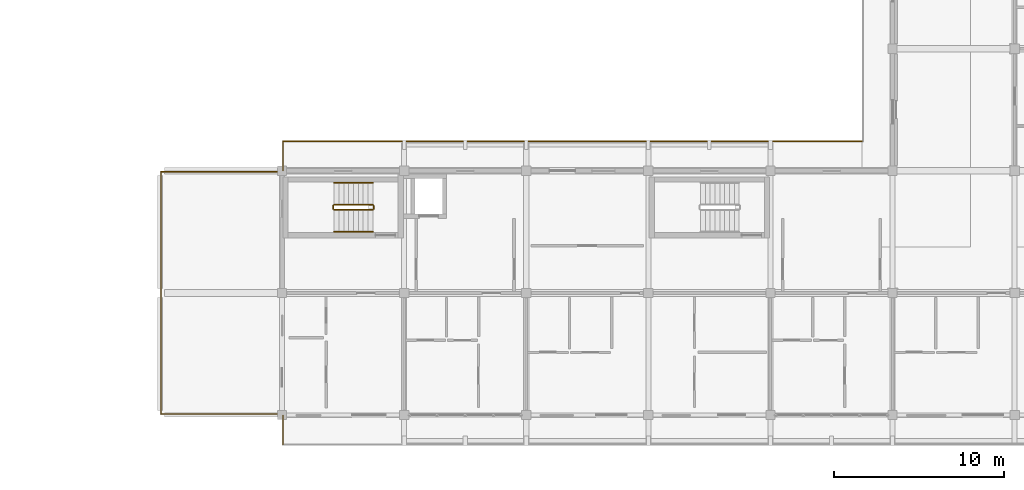
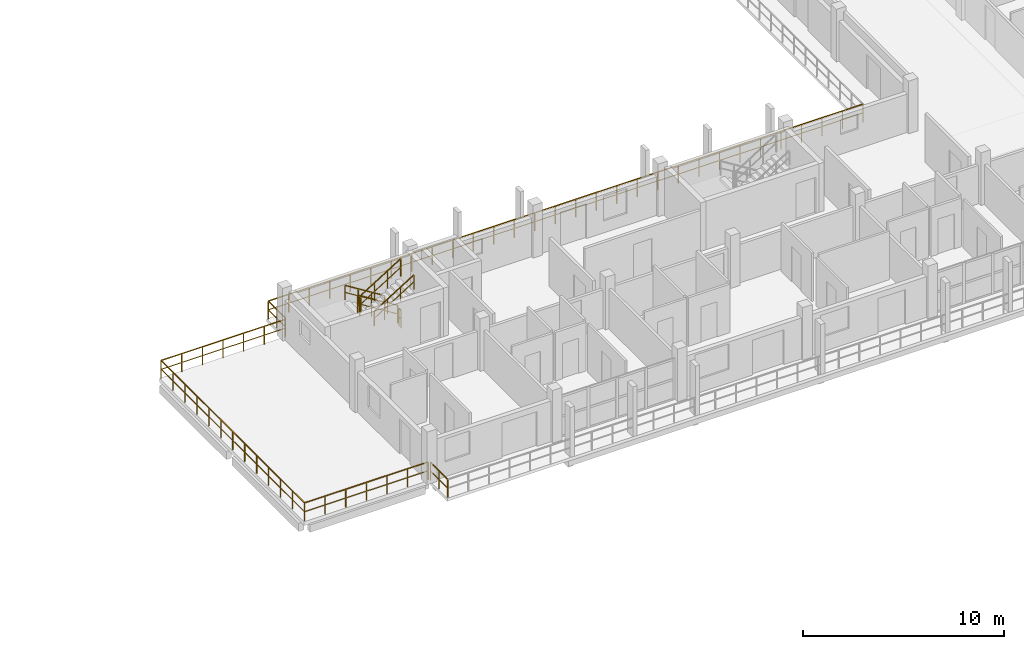
# One storey, part 59 of 65: 12 railings.
"""IFC4 building model written with IfcOpenShell, lengths in metres."""

from ifc_helpers import new_model, si_unit, direction, frame, origin, origin_2d, place, context, subcontext, project, spatial, rectangle, extrude, material, type_object, element, save


model = new_model("IFC4")

# Units and contexts
model_context = context("Model", 3, precision=1e-05, world=origin(), true_north=direction((0.0, 1.0)))
body_context = subcontext(model_context, "Body", "Model", "MODEL_VIEW")
ifc_project = project(units=[si_unit("LENGTHUNIT", "METRE"), si_unit("AREAUNIT", "SQUARE_METRE"), si_unit("VOLUMEUNIT", "CUBIC_METRE"), si_unit("PLANEANGLEUNIT", "RADIAN"), si_unit("MASSUNIT", "GRAM", prefix="KILO")], contexts=[model_context])

# Site, building, storey
site_placement = place(None, origin())
site = spatial("IfcSite", under=ifc_project, at=site_placement, CompositionType="ELEMENT")
building_placement = place(site_placement, origin())
building = spatial("IfcBuilding", under=site, at=building_placement, Name="Suanplinth Sawtooth Commons", CompositionType="ELEMENT")
storey_placement = place(building_placement, frame((0.0, 0.0, 28.300048828125)))
storey = spatial("IfcBuildingStorey", under=building, at=storey_placement, Name="L08", CompositionType="ELEMENT", Elevation=28.300048828125)

# Railings
ifc_material_1 = material(Name="Powder-coated galvanized steel", Category="steel")
railing_type_1 = type_object("IfcRailingType", Name="GR-01", PredefinedType="BALUSTRADE", material=ifc_material_1)
railing_1_placement = place(storey_placement, frame((136.860107421875, -1.739990234375, 0.0)))
element("IfcRailing", 1, at=railing_1_placement, inside=storey, type_object=railing_type_1, Name="L08 Block C Perimeter Balustrade 1", PredefinedType="BALUSTRADE", context=body_context, shape_type="SweptSolid", body=[
    extrude(rectangle(XDim=0.048095703125, YDim=0.048095703125, at=origin_2d()), frame((0.0, 0.0, 1.09619140625), z_axis=(0.0, 1.0, 0.0), x_axis=(-1.0, 0.0, 0.0)), (0.0, 0.0, 1.0), 1.719970703125),
    extrude(rectangle(XDim=0.03369140625, YDim=0.03369140625, at=origin_2d()), frame((0.0, 0.0, 0.56005859375), z_axis=(0.0, 1.0, 0.0), x_axis=(-1.0, 0.0, 0.0)), (0.0, 0.0, 1.0), 1.719970703125),
    extrude(rectangle(XDim=0.0419921875, YDim=0.0419921875, at=origin_2d()), origin(), (0.0, 0.0, 1.0), 1.072021484375),
    extrude(rectangle(XDim=0.0419921875, YDim=0.0419921875, at=origin_2d()), frame((0.0, 0.85986328125, 0.0)), (0.0, 0.0, 1.0), 1.072021484375),
    extrude(rectangle(XDim=0.0419921875, YDim=0.0419921875, at=origin_2d()), frame((0.0, 1.719970703125, 0.0)), (0.0, 0.0, 1.0), 1.072021484375),
])
railing_2_placement = place(storey_placement, frame((136.780029296875, 0.06005859375, 0.0)))
element("IfcRailing", 2, at=railing_2_placement, inside=storey, type_object=railing_type_1, Name="L08 Block C Perimeter Balustrade 2", PredefinedType="BALUSTRADE", context=body_context, shape_type="SweptSolid", body=[
    extrude(rectangle(XDim=0.048095703125, YDim=0.048095703125, at=origin_2d()), frame((0.0, 0.0, 1.09619140625), z_axis=(-1.0, 0.0, 0.0), x_axis=(0.0, -1.0, 0.0)), (0.0, 0.0, 1.0), 7.1201171875),
    extrude(rectangle(XDim=0.03369140625, YDim=0.03369140625, at=origin_2d()), frame((0.0, 0.0, 0.56005859375), z_axis=(-1.0, 0.0, 0.0), x_axis=(0.0, -1.0, 0.0)), (0.0, 0.0, 1.0), 7.1201171875),
    extrude(rectangle(XDim=0.0419921875, YDim=0.0419921875, at=origin_2d()), origin(), (0.0, 0.0, 1.0), 1.072021484375),
    extrude(rectangle(XDim=0.0419921875, YDim=0.0419921875, at=origin_2d()), frame((-1.186767578125, 0.0, 0.0)), (0.0, 0.0, 1.0), 1.072021484375),
    extrude(rectangle(XDim=0.0419921875, YDim=0.0419921875, at=origin_2d()), frame((-2.373291015625, 0.0, 0.0)), (0.0, 0.0, 1.0), 1.072021484375),
    extrude(rectangle(XDim=0.0419921875, YDim=0.0419921875, at=origin_2d()), frame((-3.56005859375, 0.0, 0.0)), (0.0, 0.0, 1.0), 1.072021484375),
    extrude(rectangle(XDim=0.0419921875, YDim=0.0419921875, at=origin_2d()), frame((-4.746826171875, 0.0, 0.0)), (0.0, 0.0, 1.0), 1.072021484375),
    extrude(rectangle(XDim=0.0419921875, YDim=0.0419921875, at=origin_2d()), frame((-5.933349609375, 0.0, 0.0)), (0.0, 0.0, 1.0), 1.072021484375),
    extrude(rectangle(XDim=0.0419921875, YDim=0.0419921875, at=origin_2d()), frame((-7.1201171875, 0.0, 0.0)), (0.0, 0.0, 1.0), 1.072021484375),
])
railing_3_placement = place(storey_placement, frame((129.659912109375, 0.06005859375, 0.0)))
element("IfcRailing", 3, at=railing_3_placement, inside=storey, type_object=railing_type_1, Name="L08 Block C Perimeter Balustrade 3", PredefinedType="BALUSTRADE", context=body_context, shape_type="SweptSolid", body=[
    extrude(rectangle(XDim=0.048095703125, YDim=0.048095703125, at=origin_2d()), frame((0.0, 0.0, 1.09619140625), z_axis=(0.0, 1.0, 0.0), x_axis=(-1.0, 0.0, 0.0)), (0.0, 0.0, 1.0), 14.280029296875),
    extrude(rectangle(XDim=0.03369140625, YDim=0.03369140625, at=origin_2d()), frame((0.0, 0.0, 0.56005859375), z_axis=(0.0, 1.0, 0.0), x_axis=(-1.0, 0.0, 0.0)), (0.0, 0.0, 1.0), 14.280029296875),
    extrude(rectangle(XDim=0.0419921875, YDim=0.0419921875, at=origin_2d()), origin(), (0.0, 0.0, 1.0), 1.072021484375),
    extrude(rectangle(XDim=0.0419921875, YDim=0.0419921875, at=origin_2d()), frame((0.0, 1.18994140625, 0.0)), (0.0, 0.0, 1.0), 1.072021484375),
    extrude(rectangle(XDim=0.0419921875, YDim=0.0419921875, at=origin_2d()), frame((0.0, 2.3798828125, 0.0)), (0.0, 0.0, 1.0), 1.072021484375),
    extrude(rectangle(XDim=0.0419921875, YDim=0.0419921875, at=origin_2d()), frame((0.0, 3.570068359375, 0.0)), (0.0, 0.0, 1.0), 1.072021484375),
    extrude(rectangle(XDim=0.0419921875, YDim=0.0419921875, at=origin_2d()), frame((0.0, 4.760009765625, 0.0)), (0.0, 0.0, 1.0), 1.072021484375),
    extrude(rectangle(XDim=0.0419921875, YDim=0.0419921875, at=origin_2d()), frame((0.0, 5.949951171875, 0.0)), (0.0, 0.0, 1.0), 1.072021484375),
    extrude(rectangle(XDim=0.0419921875, YDim=0.0419921875, at=origin_2d()), frame((0.0, 7.14013671875, 0.0)), (0.0, 0.0, 1.0), 1.072021484375),
    extrude(rectangle(XDim=0.0419921875, YDim=0.0419921875, at=origin_2d()), frame((0.0, 8.330078125, 0.0)), (0.0, 0.0, 1.0), 1.072021484375),
    extrude(rectangle(XDim=0.0419921875, YDim=0.0419921875, at=origin_2d()), frame((0.0, 9.52001953125, 0.0)), (0.0, 0.0, 1.0), 1.072021484375),
    extrude(rectangle(XDim=0.0419921875, YDim=0.0419921875, at=origin_2d()), frame((0.0, 10.7099609375, 0.0)), (0.0, 0.0, 1.0), 1.072021484375),
    extrude(rectangle(XDim=0.0419921875, YDim=0.0419921875, at=origin_2d()), frame((0.0, 11.89990234375, 0.0)), (0.0, 0.0, 1.0), 1.072021484375),
    extrude(rectangle(XDim=0.0419921875, YDim=0.0419921875, at=origin_2d()), frame((0.0, 13.090087890625, 0.0)), (0.0, 0.0, 1.0), 1.072021484375),
    extrude(rectangle(XDim=0.0419921875, YDim=0.0419921875, at=origin_2d()), frame((0.0, 14.280029296875, 0.0)), (0.0, 0.0, 1.0), 1.072021484375),
])
railing_4_placement = place(storey_placement, frame((129.659912109375, 14.340087890625, 0.0)))
element("IfcRailing", 4, at=railing_4_placement, inside=storey, type_object=railing_type_1, Name="L08 Block C Perimeter Balustrade 4", PredefinedType="BALUSTRADE", context=body_context, shape_type="SweptSolid", body=[
    extrude(rectangle(XDim=0.048095703125, YDim=0.048095703125, at=origin_2d()), frame((0.0, 0.0, 1.09619140625), z_axis=(1.0, 0.0, 0.0), x_axis=(0.0, 1.0, 0.0)), (0.0, 0.0, 1.0), 7.1201171875),
    extrude(rectangle(XDim=0.03369140625, YDim=0.03369140625, at=origin_2d()), frame((0.0, 0.0, 0.56005859375), z_axis=(1.0, 0.0, 0.0), x_axis=(0.0, 1.0, 0.0)), (0.0, 0.0, 1.0), 7.1201171875),
    extrude(rectangle(XDim=0.0419921875, YDim=0.0419921875, at=origin_2d()), origin(), (0.0, 0.0, 1.0), 1.072021484375),
    extrude(rectangle(XDim=0.0419921875, YDim=0.0419921875, at=origin_2d()), frame((1.186767578125, 0.0, 0.0)), (0.0, 0.0, 1.0), 1.072021484375),
    extrude(rectangle(XDim=0.0419921875, YDim=0.0419921875, at=origin_2d()), frame((2.373291015625, 0.0, 0.0)), (0.0, 0.0, 1.0), 1.072021484375),
    extrude(rectangle(XDim=0.0419921875, YDim=0.0419921875, at=origin_2d()), frame((3.56005859375, 0.0, 0.0)), (0.0, 0.0, 1.0), 1.072021484375),
    extrude(rectangle(XDim=0.0419921875, YDim=0.0419921875, at=origin_2d()), frame((4.746826171875, 0.0, 0.0)), (0.0, 0.0, 1.0), 1.072021484375),
    extrude(rectangle(XDim=0.0419921875, YDim=0.0419921875, at=origin_2d()), frame((5.933349609375, 0.0, 0.0)), (0.0, 0.0, 1.0), 1.072021484375),
    extrude(rectangle(XDim=0.0419921875, YDim=0.0419921875, at=origin_2d()), frame((7.1201171875, 0.0, 0.0)), (0.0, 0.0, 1.0), 1.072021484375),
])
railing_5_placement = place(storey_placement, frame((136.860107421875, 14.419921875, 0.0)))
element("IfcRailing", 5, at=railing_5_placement, inside=storey, type_object=railing_type_1, Name="L08 Block C Perimeter Balustrade 5", PredefinedType="BALUSTRADE", context=body_context, shape_type="SweptSolid", body=[
    extrude(rectangle(XDim=0.048095703125, YDim=0.048095703125, at=origin_2d()), frame((0.0, 0.0, 1.09619140625), z_axis=(0.0, 1.0, 0.0), x_axis=(-1.0, 0.0, 0.0)), (0.0, 0.0, 1.0), 1.719970703125),
    extrude(rectangle(XDim=0.03369140625, YDim=0.03369140625, at=origin_2d()), frame((0.0, 0.0, 0.56005859375), z_axis=(0.0, 1.0, 0.0), x_axis=(-1.0, 0.0, 0.0)), (0.0, 0.0, 1.0), 1.719970703125),
    extrude(rectangle(XDim=0.0419921875, YDim=0.0419921875, at=origin_2d()), origin(), (0.0, 0.0, 1.0), 1.072021484375),
    extrude(rectangle(XDim=0.0419921875, YDim=0.0419921875, at=origin_2d()), frame((0.0, 0.85986328125, 0.0)), (0.0, 0.0, 1.0), 1.072021484375),
    extrude(rectangle(XDim=0.0419921875, YDim=0.0419921875, at=origin_2d()), frame((0.0, 1.719970703125, 0.0)), (0.0, 0.0, 1.0), 1.072021484375),
])
railing_6_placement = place(storey_placement, frame((136.860107421875, 16.139892578125, 0.0)))
element("IfcRailing", 6, at=railing_6_placement, inside=storey, type_object=railing_type_1, Name="L08 Block C Perimeter Balustrade 6", PredefinedType="BALUSTRADE", context=body_context, shape_type="SweptSolid", body=[
    extrude(rectangle(XDim=0.048095703125, YDim=0.048095703125, at=origin_2d()), frame((0.0, 0.0, 1.09619140625), z_axis=(1.0, 0.0, 0.0), x_axis=(0.0, 1.0, 0.0)), (0.0, 0.0, 1.0), 34.199951171875),
    extrude(rectangle(XDim=0.03369140625, YDim=0.03369140625, at=origin_2d()), frame((0.0, 0.0, 0.56005859375), z_axis=(1.0, 0.0, 0.0), x_axis=(0.0, 1.0, 0.0)), (0.0, 0.0, 1.0), 34.199951171875),
    extrude(rectangle(XDim=0.0419921875, YDim=0.0419921875, at=origin_2d()), origin(), (0.0, 0.0, 1.0), 1.072021484375),
    extrude(rectangle(XDim=0.0419921875, YDim=0.0419921875, at=origin_2d()), frame((1.17919921875, 0.0, 0.0)), (0.0, 0.0, 1.0), 1.072021484375),
    extrude(rectangle(XDim=0.0419921875, YDim=0.0419921875, at=origin_2d()), frame((2.358642578125, 0.0, 0.0)), (0.0, 0.0, 1.0), 1.072021484375),
    extrude(rectangle(XDim=0.0419921875, YDim=0.0419921875, at=origin_2d()), frame((3.537841796875, 0.0, 0.0)), (0.0, 0.0, 1.0), 1.072021484375),
    extrude(rectangle(XDim=0.0419921875, YDim=0.0419921875, at=origin_2d()), frame((4.71728515625, 0.0, 0.0)), (0.0, 0.0, 1.0), 1.072021484375),
    extrude(rectangle(XDim=0.0419921875, YDim=0.0419921875, at=origin_2d()), frame((5.896484375, 0.0, 0.0)), (0.0, 0.0, 1.0), 1.072021484375),
    extrude(rectangle(XDim=0.0419921875, YDim=0.0419921875, at=origin_2d()), frame((7.075927734375, 0.0, 0.0)), (0.0, 0.0, 1.0), 1.072021484375),
    extrude(rectangle(XDim=0.0419921875, YDim=0.0419921875, at=origin_2d()), frame((8.255126953125, 0.0, 0.0)), (0.0, 0.0, 1.0), 1.072021484375),
    extrude(rectangle(XDim=0.0419921875, YDim=0.0419921875, at=origin_2d()), frame((9.4345703125, 0.0, 0.0)), (0.0, 0.0, 1.0), 1.072021484375),
    extrude(rectangle(XDim=0.0419921875, YDim=0.0419921875, at=origin_2d()), frame((10.61376953125, 0.0, 0.0)), (0.0, 0.0, 1.0), 1.072021484375),
    extrude(rectangle(XDim=0.0419921875, YDim=0.0419921875, at=origin_2d()), frame((11.79296875, 0.0, 0.0)), (0.0, 0.0, 1.0), 1.072021484375),
    extrude(rectangle(XDim=0.0419921875, YDim=0.0419921875, at=origin_2d()), frame((12.972412109375, 0.0, 0.0)), (0.0, 0.0, 1.0), 1.072021484375),
    extrude(rectangle(XDim=0.0419921875, YDim=0.0419921875, at=origin_2d()), frame((14.151611328125, 0.0, 0.0)), (0.0, 0.0, 1.0), 1.072021484375),
    extrude(rectangle(XDim=0.0419921875, YDim=0.0419921875, at=origin_2d()), frame((15.3310546875, 0.0, 0.0)), (0.0, 0.0, 1.0), 1.072021484375),
    extrude(rectangle(XDim=0.0419921875, YDim=0.0419921875, at=origin_2d()), frame((16.51025390625, 0.0, 0.0)), (0.0, 0.0, 1.0), 1.072021484375),
    extrude(rectangle(XDim=0.0419921875, YDim=0.0419921875, at=origin_2d()), frame((17.689697265625, 0.0, 0.0)), (0.0, 0.0, 1.0), 1.072021484375),
    extrude(rectangle(XDim=0.0419921875, YDim=0.0419921875, at=origin_2d()), frame((18.868896484375, 0.0, 0.0)), (0.0, 0.0, 1.0), 1.072021484375),
    extrude(rectangle(XDim=0.0419921875, YDim=0.0419921875, at=origin_2d()), frame((20.04833984375, 0.0, 0.0)), (0.0, 0.0, 1.0), 1.072021484375),
    extrude(rectangle(XDim=0.0419921875, YDim=0.0419921875, at=origin_2d()), frame((21.2275390625, 0.0, 0.0)), (0.0, 0.0, 1.0), 1.072021484375),
    extrude(rectangle(XDim=0.0419921875, YDim=0.0419921875, at=origin_2d()), frame((22.406982421875, 0.0, 0.0)), (0.0, 0.0, 1.0), 1.072021484375),
    extrude(rectangle(XDim=0.0419921875, YDim=0.0419921875, at=origin_2d()), frame((23.586181640625, 0.0, 0.0)), (0.0, 0.0, 1.0), 1.072021484375),
    extrude(rectangle(XDim=0.0419921875, YDim=0.0419921875, at=origin_2d()), frame((24.765380859375, 0.0, 0.0)), (0.0, 0.0, 1.0), 1.072021484375),
    extrude(rectangle(XDim=0.0419921875, YDim=0.0419921875, at=origin_2d()), frame((25.94482421875, 0.0, 0.0)), (0.0, 0.0, 1.0), 1.072021484375),
    extrude(rectangle(XDim=0.0419921875, YDim=0.0419921875, at=origin_2d()), frame((27.1240234375, 0.0, 0.0)), (0.0, 0.0, 1.0), 1.072021484375),
    extrude(rectangle(XDim=0.0419921875, YDim=0.0419921875, at=origin_2d()), frame((28.303466796875, 0.0, 0.0)), (0.0, 0.0, 1.0), 1.072021484375),
    extrude(rectangle(XDim=0.0419921875, YDim=0.0419921875, at=origin_2d()), frame((29.482666015625, 0.0, 0.0)), (0.0, 0.0, 1.0), 1.072021484375),
    extrude(rectangle(XDim=0.0419921875, YDim=0.0419921875, at=origin_2d()), frame((30.662109375, 0.0, 0.0)), (0.0, 0.0, 1.0), 1.072021484375),
    extrude(rectangle(XDim=0.0419921875, YDim=0.0419921875, at=origin_2d()), frame((31.84130859375, 0.0, 0.0)), (0.0, 0.0, 1.0), 1.072021484375),
    extrude(rectangle(XDim=0.0419921875, YDim=0.0419921875, at=origin_2d()), frame((33.020751953125, 0.0, 0.0)), (0.0, 0.0, 1.0), 1.072021484375),
    extrude(rectangle(XDim=0.0419921875, YDim=0.0419921875, at=origin_2d()), frame((34.199951171875, 0.0, 0.0)), (0.0, 0.0, 1.0), 1.072021484375),
])
ifc_material_2 = material(Name="Stainless steel Grade 304", Category="steel")
railing_type_2 = type_object("IfcRailingType", Name="GR-04", PredefinedType="GUARDRAIL", material=ifc_material_2)
railing_7_placement = place(storey_placement, frame((142.14990234375, 12.39990234375, 0.177734375)))
element("IfcRailing", 7, at=railing_7_placement, inside=storey, type_object=railing_type_2, Name="L08 ST-S1 Guard 1", PredefinedType="GUARDRAIL", context=body_context, shape_type="SweptSolid", body=[
    extrude(rectangle(XDim=0.048095703125, YDim=0.048095703125, at=origin_2d()), frame((0.0, 0.0, 1.076171875), z_axis=(-0.848457393559, 0.0, 0.529263687886), x_axis=(0.0, -1.0, 0.0)), (0.0, 0.0, 1.0), 2.68701171875),
    extrude(rectangle(XDim=0.03369140625, YDim=0.03369140625, at=origin_2d()), frame((0.0, 0.0, 0.550048828125), z_axis=(-0.848457393559, 0.0, 0.529263687886), x_axis=(0.0, -1.0, 0.0)), (0.0, 0.0, 1.0), 2.68701171875),
    extrude(rectangle(XDim=0.0419921875, YDim=0.0419921875, at=origin_2d()), origin(), (0.0, 0.0, 1.0), 1.052001953125),
    extrude(rectangle(XDim=0.0419921875, YDim=0.0419921875, at=origin_2d()), frame((-0.760009765625, 0.0, 0.47412109375)), (0.0, 0.0, 1.0), 1.052001953125),
    extrude(rectangle(XDim=0.0419921875, YDim=0.0419921875, at=origin_2d()), frame((-1.519775390625, 0.0, 0.947998046875)), (0.0, 0.0, 1.0), 1.052001953125),
    extrude(rectangle(XDim=0.0419921875, YDim=0.0419921875, at=origin_2d()), frame((-2.27978515625, 0.0, 1.422119140625)), (0.0, 0.0, 1.0), 1.052001953125),
])
railing_8_placement = place(storey_placement, frame((139.820068359375, 12.35009765625, 1.599853515625)))
element("IfcRailing", 8, at=railing_8_placement, inside=storey, type_object=railing_type_2, Name="L08 ST-S1 Guard 2", PredefinedType="GUARDRAIL", context=body_context, shape_type="SweptSolid", body=[
    extrude(rectangle(XDim=0.048095703125, YDim=0.048095703125, at=origin_2d()), frame((0.0, 0.0, 1.076171875), z_axis=(0.0, -1.0, 0.0), x_axis=(1.0, 0.0, 0.0)), (0.0, 0.0, 1.0), 0.2001953125),
    extrude(rectangle(XDim=0.03369140625, YDim=0.03369140625, at=origin_2d()), frame((0.0, 0.0, 0.550048828125), z_axis=(0.0, -1.0, 0.0), x_axis=(1.0, 0.0, 0.0)), (0.0, 0.0, 1.0), 0.2001953125),
    extrude(rectangle(XDim=0.0419921875, YDim=0.0419921875, at=origin_2d()), origin(), (0.0, 0.0, 1.0), 1.052001953125),
    extrude(rectangle(XDim=0.0419921875, YDim=0.0419921875, at=origin_2d()), frame((0.0, -0.2001953125, 0.0)), (0.0, 0.0, 1.0), 1.052001953125),
])
railing_9_placement = place(storey_placement, frame((139.8701171875, 12.10009765625, 1.77783203125)))
element("IfcRailing", 9, at=railing_9_placement, inside=storey, type_object=railing_type_2, Name="L08 ST-S1 Guard 3", PredefinedType="GUARDRAIL", context=body_context, shape_type="SweptSolid", body=[
    extrude(rectangle(XDim=0.048095703125, YDim=0.048095703125, at=origin_2d()), frame((0.0, 0.0, 1.076171875), z_axis=(0.848457393559, 0.0, 0.529263687886), x_axis=(0.0, 1.0, 0.0)), (0.0, 0.0, 1.0), 2.68701171875),
    extrude(rectangle(XDim=0.03369140625, YDim=0.03369140625, at=origin_2d()), frame((0.0, 0.0, 0.550048828125), z_axis=(0.848457393559, 0.0, 0.529263687886), x_axis=(0.0, 1.0, 0.0)), (0.0, 0.0, 1.0), 2.68701171875),
    extrude(rectangle(XDim=0.0419921875, YDim=0.0419921875, at=origin_2d()), origin(), (0.0, 0.0, 1.0), 1.052001953125),
    extrude(rectangle(XDim=0.0419921875, YDim=0.0419921875, at=origin_2d()), frame((0.760009765625, 0.0, 0.47412109375)), (0.0, 0.0, 1.0), 1.052001953125),
    extrude(rectangle(XDim=0.0419921875, YDim=0.0419921875, at=origin_2d()), frame((1.519775390625, 0.0, 0.947998046875)), (0.0, 0.0, 1.0), 1.052001953125),
    extrude(rectangle(XDim=0.0419921875, YDim=0.0419921875, at=origin_2d()), frame((2.27978515625, 0.0, 1.422119140625)), (0.0, 0.0, 1.0), 1.052001953125),
])
railing_10_placement = place(storey_placement, frame((142.199951171875, 12.35009765625, 0.0)))
element("IfcRailing", 10, at=railing_10_placement, inside=storey, type_object=railing_type_2, Name="L08 ST-S1 Guard 4", PredefinedType="GUARDRAIL", context=body_context, shape_type="SweptSolid", body=[
    extrude(rectangle(XDim=0.048095703125, YDim=0.048095703125, at=origin_2d()), frame((0.0, 0.0, 1.076171875), z_axis=(0.0, -1.0, 0.0), x_axis=(1.0, 0.0, 0.0)), (0.0, 0.0, 1.0), 0.2001953125),
    extrude(rectangle(XDim=0.03369140625, YDim=0.03369140625, at=origin_2d()), frame((0.0, 0.0, 0.550048828125), z_axis=(0.0, -1.0, 0.0), x_axis=(1.0, 0.0, 0.0)), (0.0, 0.0, 1.0), 0.2001953125),
    extrude(rectangle(XDim=0.0419921875, YDim=0.0419921875, at=origin_2d()), origin(), (0.0, 0.0, 1.0), 1.052001953125),
    extrude(rectangle(XDim=0.0419921875, YDim=0.0419921875, at=origin_2d()), frame((0.0, -0.2001953125, 0.0)), (0.0, 0.0, 1.0), 1.052001953125),
])
railing_type_3 = type_object("IfcRailingType", Name="HR-01", PredefinedType="HANDRAIL", material=ifc_material_2)
railing_11_placement = place(storey_placement, frame((142.14990234375, 13.699951171875, 0.177734375)))
element("IfcRailing", 11, at=railing_11_placement, inside=storey, type_object=railing_type_3, Name="L08 ST-S1 Handrail 1", PredefinedType="HANDRAIL", context=body_context, shape_type="SweptSolid", body=[
    extrude(rectangle(XDim=0.048095703125, YDim=0.048095703125, at=origin_2d()), frame((0.0, 0.0, 0.8759765625), z_axis=(-0.848457393559, 0.0, 0.529263687886), x_axis=(0.0, -1.0, 0.0)), (0.0, 0.0, 1.0), 2.68701171875),
    extrude(rectangle(XDim=0.03369140625, YDim=0.03369140625, at=origin_2d()), frame((0.0, 0.0, 0.449951171875), z_axis=(-0.848457393559, 0.0, 0.529263687886), x_axis=(0.0, -1.0, 0.0)), (0.0, 0.0, 1.0), 2.68701171875),
    extrude(rectangle(XDim=0.0419921875, YDim=0.0419921875, at=origin_2d()), origin(), (0.0, 0.0, 1.0), 0.851806640625),
    extrude(rectangle(XDim=0.0419921875, YDim=0.0419921875, at=origin_2d()), frame((-0.760009765625, 0.0, 0.47412109375)), (0.0, 0.0, 1.0), 0.851806640625),
    extrude(rectangle(XDim=0.0419921875, YDim=0.0419921875, at=origin_2d()), frame((-1.519775390625, 0.0, 0.947998046875)), (0.0, 0.0, 1.0), 0.851806640625),
    extrude(rectangle(XDim=0.0419921875, YDim=0.0419921875, at=origin_2d()), frame((-2.27978515625, 0.0, 1.422119140625)), (0.0, 0.0, 1.0), 0.851806640625),
])
railing_12_placement = place(storey_placement, frame((139.8701171875, 10.800048828125, 1.77783203125)))
element("IfcRailing", 12, at=railing_12_placement, inside=storey, type_object=railing_type_3, Name="L08 ST-S1 Handrail 2", PredefinedType="HANDRAIL", context=body_context, shape_type="SweptSolid", body=[
    extrude(rectangle(XDim=0.048095703125, YDim=0.048095703125, at=origin_2d()), frame((0.0, 0.0, 0.8759765625), z_axis=(0.848457393559, 0.0, 0.529263687886), x_axis=(0.0, 1.0, 0.0)), (0.0, 0.0, 1.0), 2.68701171875),
    extrude(rectangle(XDim=0.03369140625, YDim=0.03369140625, at=origin_2d()), frame((0.0, 0.0, 0.449951171875), z_axis=(0.848457393559, 0.0, 0.529263687886), x_axis=(0.0, 1.0, 0.0)), (0.0, 0.0, 1.0), 2.68701171875),
    extrude(rectangle(XDim=0.0419921875, YDim=0.0419921875, at=origin_2d()), origin(), (0.0, 0.0, 1.0), 0.851806640625),
    extrude(rectangle(XDim=0.0419921875, YDim=0.0419921875, at=origin_2d()), frame((0.760009765625, 0.0, 0.47412109375)), (0.0, 0.0, 1.0), 0.851806640625),
    extrude(rectangle(XDim=0.0419921875, YDim=0.0419921875, at=origin_2d()), frame((1.519775390625, 0.0, 0.947998046875)), (0.0, 0.0, 1.0), 0.851806640625),
    extrude(rectangle(XDim=0.0419921875, YDim=0.0419921875, at=origin_2d()), frame((2.27978515625, 0.0, 1.422119140625)), (0.0, 0.0, 1.0), 0.851806640625),
])

save(model, "model.ifc")
